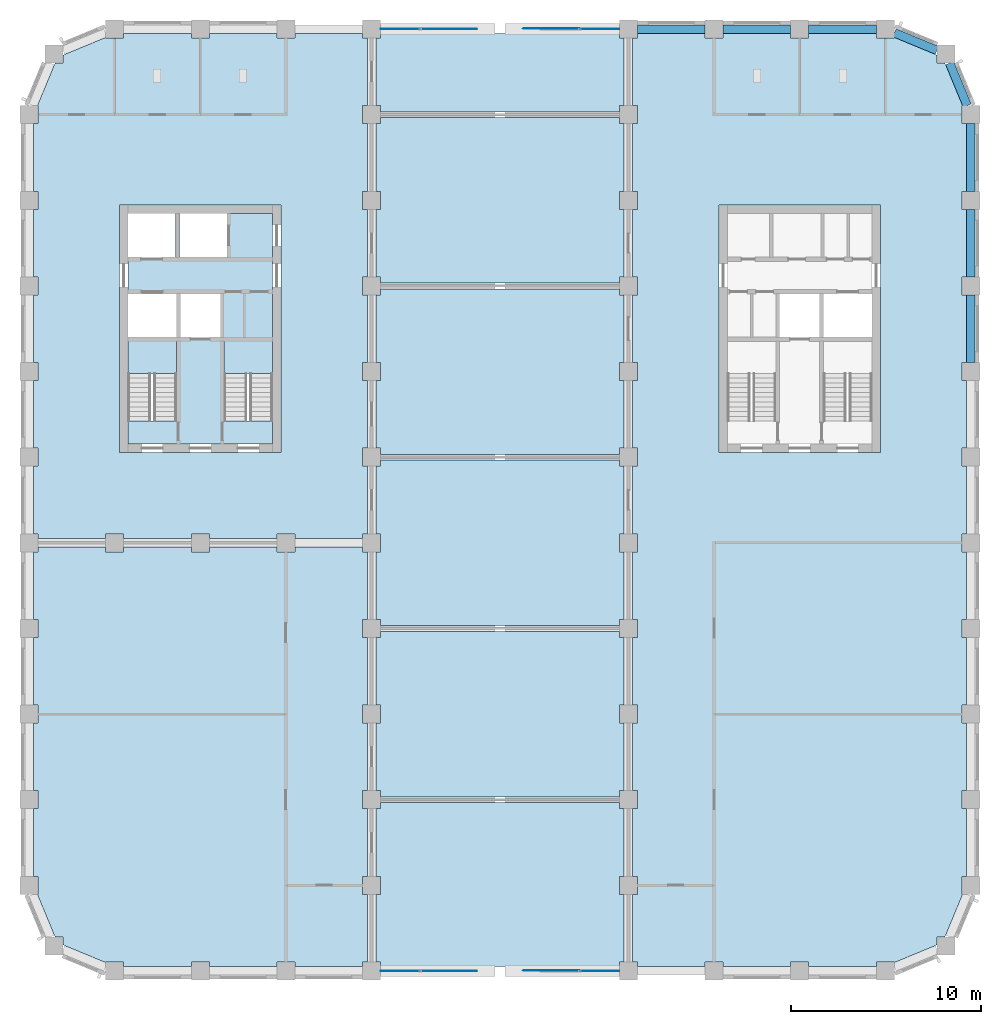
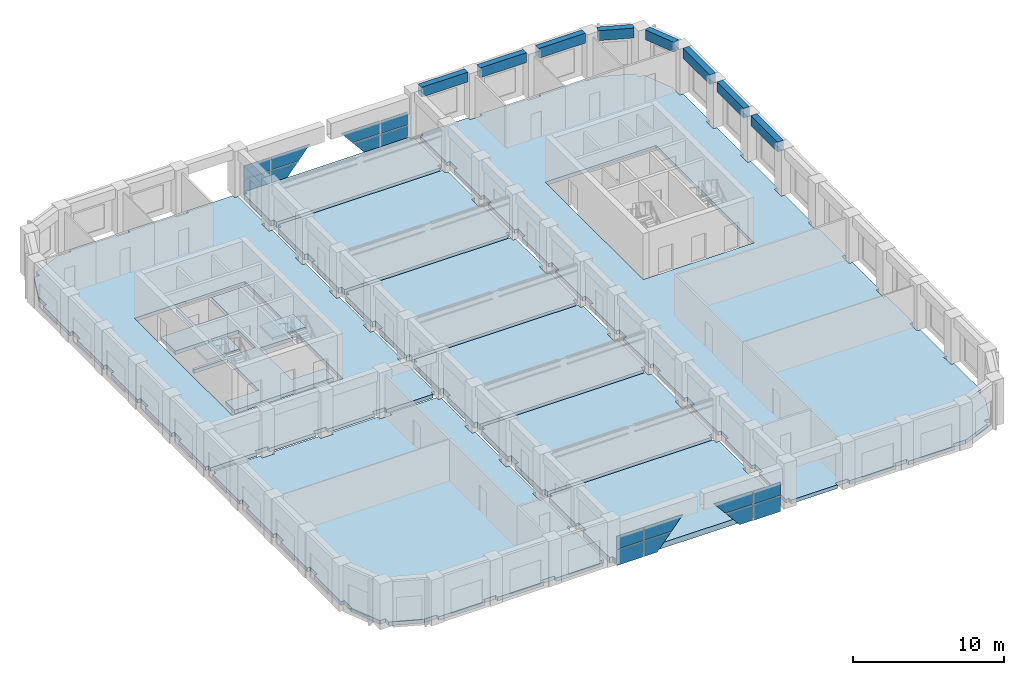
# One storey, part 5 of 14: 16 plates, 12 slabs, 8 beams, 6 elements without a shape of their own.
"""IFC4 building model written with IfcOpenShell, lengths in metres."""

from ifc_helpers import new_model, si_unit, direction, frame, origin, origin_2d, place, context, subcontext, project, spatial, polyline, rectangle, outline, extrude, material, layer, layer_set, material_profile, profile_set, type_object, element, aggregate, save


model = new_model("IFC4")

# Units and contexts
model_context = context("Model", 3, precision=1e-05, world=origin(), true_north=direction((0.0, 1.0)))
body_context = subcontext(model_context, "Body", "Model", "MODEL_VIEW")
ifc_project = project(units=[si_unit("LENGTHUNIT", "METRE"), si_unit("AREAUNIT", "SQUARE_METRE"), si_unit("VOLUMEUNIT", "CUBIC_METRE"), si_unit("PLANEANGLEUNIT", "RADIAN"), si_unit("MASSUNIT", "GRAM", prefix="KILO")], contexts=[model_context])

# Site, building, storey
site_placement = place(None, origin())
site = spatial("IfcSite", under=ifc_project, at=site_placement, CompositionType="ELEMENT")
building_placement = place(site_placement, origin())
building = spatial("IfcBuilding", under=site, at=building_placement, Name="Girih Gate Residences", CompositionType="ELEMENT")
storey_placement = place(building_placement, frame((0.0, 0.0, 172.60009765625)))
storey = spatial("IfcBuildingStorey", under=building, at=storey_placement, Name="L47", CompositionType="ELEMENT", Elevation=172.60009765625)

# Beams
ifc_material_1 = material(Name="Concrete C60/75", Category="concrete")
ifc_material_profile = material_profile(ifc_material_1, rectangle(XDim=0.449951171875, YDim=0.800048828125, at=origin_2d()))
ifc_profile_set = profile_set([ifc_material_profile], Name="Concrete C60/75")
beam_type = type_object("IfcBeamType", Name="Spandrel girder RC 450x800 Concrete C60/75", PredefinedType="BEAM", material=ifc_profile_set)
for number, where, z_axis, x_axis, name in (
    (1, (49.5, 31.97509765625, 3.2998046875), (0.0, 1.0, 0.0), (-1.0, 0.0, 0.0), "Spandrel girder SP-P12H-P12I L47"),
    (2, (49.5, 36.47509765625, 3.2998046875), (0.0, 1.0, 0.0), (-1.0, 0.0, 0.0), "Spandrel girder SP-P12I-P12J L47"),
    (3, (49.5, 40.97509765625, 3.2998046875), (0.0, 1.0, 0.0), (-1.0, 0.0, 0.0), "Spandrel girder SP-P12J-P12K L47"),
):
    element("IfcBeam", number, at=place(storey_placement, frame(where, z_axis=z_axis, x_axis=x_axis)), inside=storey, type_object=beam_type, Name=name, PredefinedType="BEAM", context=body_context, shape_type="SweptSolid", body=[
        extrude(rectangle(XDim=0.449951171875, YDim=0.800048828125, at=origin_2d()), origin(), (0.0, 0.0, 1.0), 3.5498046875),
    ])
for number, where, z_axis, x_axis, name in (
    (4, (49.30322265625, 45.47509765625, 3.2998046875), (-0.382705825988, 0.923870256451, 0.0), (-0.923870256451, -0.382705825988, 0.0), "Spandrel girder SP-P12K-P12LSW L47"),
    (5, (47.70703125, 48.378662109375, 3.2998046875), (-0.923870256451, 0.382705825988, 0.0), (-0.382705825988, -0.923870256451, 0.0), "Spandrel girder SP-P12LSW-P11L L47"),
):
    element("IfcBeam", number, at=place(storey_placement, frame(where, z_axis=z_axis, x_axis=x_axis)), inside=storey, type_object=beam_type, Name=name, PredefinedType="BEAM", context=body_context, shape_type="SweptSolid", body=[
        extrude(rectangle(XDim=0.449951171875, YDim=0.800048828125, at=origin_2d()), origin(), (0.0, 0.0, 1.0), 2.415771484375),
    ])
for number, where, z_axis, x_axis, name in (
    (6, (44.52490234375, 49.5, 3.2998046875), (-1.0, 0.0, 0.0), (0.0, -1.0, 0.0), "Spandrel girder SP-P11L-P10L L47"),
    (7, (40.02490234375, 49.5, 3.2998046875), (-1.0, 0.0, 0.0), (0.0, -1.0, 0.0), "Spandrel girder SP-P10L-P9L L47"),
    (8, (35.52490234375, 49.5, 3.2998046875), (-1.0, 0.0, 0.0), (0.0, -1.0, 0.0), "Spandrel girder SP-P9L-P8L L47"),
):
    element("IfcBeam", number, at=place(storey_placement, frame(where, z_axis=z_axis, x_axis=x_axis)), inside=storey, type_object=beam_type, Name=name, PredefinedType="BEAM", context=body_context, shape_type="SweptSolid", body=[
        extrude(rectangle(XDim=0.449951171875, YDim=0.800048828125, at=origin_2d()), origin(), (0.0, 0.0, 1.0), 3.5498046875),
    ])

# Slab
ifc_material_2 = material(Name="Concrete C40/50", Category="concrete")
ifc_layer_1 = layer(ifc_material_2, 0.300048828125)
ifc_layer_set_1 = layer_set([ifc_layer_1], Name="Core floor slab 300")
slab_type_1 = type_object("IfcSlabType", Name="Core floor slab 300", PredefinedType="FLOOR", material=ifc_layer_set_1)
slab_1_placement = place(storey_placement, frame((0.0, 0.0, -0.300048828125)))
element("IfcSlab", 9, at=slab_1_placement, inside=storey, type_object=slab_type_1, Name="L47 W core floor", PredefinedType="FLOOR", context=body_context, shape_type="SweptSolid", body=[
    extrude(outline(polyline([(12.800048828125, 27.699951171875), (5.199951171875, 27.699951171875), (5.199951171875, 28.900634765625), (7.75, 28.900634765625), (7.75, 33.10009765625), (5.199951171875, 33.10009765625), (5.199951171875, 33.300048828125), (7.75, 33.300048828125), (7.75, 35.60009765625), (5.199951171875, 35.60009765625), (5.199951171875, 37.5), (7.699951171875, 37.5), (7.699951171875, 39.800048828125), (7.89990234375, 39.800048828125), (7.89990234375, 37.5), (10.39990234375, 37.5), (10.39990234375, 39.800048828125), (12.800048828125, 39.800048828125), (12.800048828125, 33.10009765625), (10.25, 33.10009765625), (10.25, 28.900634765625), (12.800048828125, 28.900634765625), (12.800048828125, 27.699951171875)]), holes=[polyline([(7.949951171875, 33.300048828125), (10.050048828125, 33.300048828125), (10.050048828125, 35.60009765625), (7.949951171875, 35.60009765625), (7.949951171875, 33.300048828125)])]), origin(), (0.0, 0.0, 1.0), 0.300048828125),
])

# Curtain wall, plates
ifc_material_3 = material(Name="Aluminium curtain wall frame", Category="aluminium")
curtain_wall_type = type_object("IfcCurtainWallType", Name="Curtain wall CW-4 bridge glazing", PredefinedType="NOTDEFINED", material=ifc_material_3)
curtain_wall_1_placement = place(storey_placement, origin())
curtain_wall_1 = element("IfcCurtainWall", 10, at=curtain_wall_1_placement, inside=storey, type_object=curtain_wall_type, Name="CW-4 Bridge glazing S2", PredefinedType="NOTDEFINED")
ifc_material_4 = material(Name="Double glazed unit")
ifc_layer_2 = layer(ifc_material_4, 0.028076171875)
ifc_layer_set_2 = layer_set([ifc_layer_2], Name="Curtain wall glass panel 28")
plate_type = type_object("IfcPlateType", Name="Curtain wall glass panel 28", PredefinedType="CURTAIN_PANEL", material=ifc_layer_set_2)
plate_1_placement = place(storey_placement, frame((20.53173828125, 0.013916015625, 1.934814453125), z_axis=(0.0, 1.0, 0.0), x_axis=(0.0, 0.0, -1.0)))
plate_1 = element("IfcPlate", 11, at=plate_1_placement, type_object=plate_type, Name="CW-4 panel S2.1", PredefinedType="CURTAIN_PANEL", context=body_context, shape_type="SweptSolid", body=[
    extrude(outline(polyline([(0.0, 0.0), (1.0595703125, 0.0), (1.0595703125, 2.056640625), (0.0, 2.056640625), (0.0, 0.0)])), origin(), (0.0, 0.0, -1.0), 0.028076171875),
])
plate_2_placement = place(storey_placement, frame((23.556640625, 0.013916015625, 1.934814453125), z_axis=(0.0, 1.0, 0.0), x_axis=(-0.640286082364, 0.0, -0.76813653261)))
plate_2 = element("IfcPlate", 12, at=plate_2_placement, type_object=plate_type, Name="CW-4 panel S2.2", PredefinedType="CURTAIN_PANEL", context=body_context, shape_type="SweptSolid", body=[
    extrude(outline(polyline([(0.0, 0.0), (1.4169081407330233, 0.0), (1.3947792074205192, 0.018445741630611412), (2.7122428554102975, 1.5989766734762605), (1.898348189509714, 2.277404797856379), (0.0, 0.0)])), origin(), (0.0, 0.0, -1.0), 0.028076171875),
])
plate_3_placement = place(storey_placement, frame((21.58154296875, 0.013916015625, -0.43505859375), z_axis=(0.0, 1.0, 0.0), x_axis=(-1.0, 0.0, 0.0)))
plate_3 = element("IfcPlate", 13, at=plate_3_placement, type_object=plate_type, Name="CW-4 panel S2.3", PredefinedType="CURTAIN_PANEL", context=body_context, shape_type="SweptSolid", body=[
    extrude(outline(polyline([(0.0, 0.0), (0.98974609375, 0.0), (0.98974609375, 1.250244140625), (-1.0419921875, 1.250244140625), (0.0, 0.0)])), origin(), (0.0, 0.0, -1.0), 0.028076171875),
])
plate_4_placement = place(storey_placement, frame((18.47509765625, 0.013916015625, -0.43505859375), z_axis=(0.0, 1.0, 0.0), x_axis=(0.0, 0.0, 1.0)))
plate_4 = element("IfcPlate", 14, at=plate_4_placement, type_object=plate_type, Name="CW-4 panel S2.4", PredefinedType="CURTAIN_PANEL", context=body_context, shape_type="SweptSolid", body=[
    extrude(outline(polyline([(0.0, 0.0), (1.250244140625, 0.0), (1.250244140625, 2.056640625), (0.0, 2.056640625), (0.0, 0.0)])), origin(), (0.0, 0.0, -1.0), 0.028076171875),
])
aggregate(curtain_wall_1, [plate_1, plate_2, plate_3, plate_4])

curtain_wall_2_placement = place(storey_placement, origin())
curtain_wall_2 = element("IfcCurtainWall", 15, at=curtain_wall_2_placement, inside=storey, type_object=curtain_wall_type, Name="CW-4 Bridge glazing S5", PredefinedType="NOTDEFINED")
plate_5_placement = place(storey_placement, frame((28.96826171875, 0.013916015625, -0.43505859375), z_axis=(0.0, 1.0, 0.0), x_axis=(0.0, 0.0, 1.0)))
plate_5 = element("IfcPlate", 16, at=plate_5_placement, type_object=plate_type, Name="CW-4 panel S5.1", PredefinedType="CURTAIN_PANEL", context=body_context, shape_type="SweptSolid", body=[
    extrude(outline(polyline([(0.0, 0.0), (1.250244140625, 0.0), (1.250244140625, 2.056640625), (0.0, 2.056640625), (0.0, 0.0)])), origin(), (0.0, 0.0, -1.0), 0.028076171875),
])
plate_6_placement = place(storey_placement, frame((27.91845703125, 0.0439453125, -0.43505859375), z_axis=(0.0, 1.0, 0.0), x_axis=(-0.640228662879, 0.0, 0.768184391425)))
plate_6 = element("IfcPlate", 17, at=plate_6_placement, type_object=plate_type, Name="CW-4 panel S5.2", PredefinedType="CURTAIN_PANEL", context=body_context, shape_type="SweptSolid", body=[
    extrude(outline(polyline([(0.0, 0.0), (1.6275312992315019, 0.0), (0.3267542161076179, 1.560749635116544), (-0.6336638181908466, 0.760307500692438), (0.0, 0.0)])), origin(), (0.0, 0.0, -1.0), 0.028076171875),
])
plate_7_placement = place(storey_placement, frame((25.943359375, 0.0439453125, 1.934814453125), z_axis=(0.0, 1.0, 0.0), x_axis=(1.0, 0.0, 0.0)))
plate_7 = element("IfcPlate", 18, at=plate_7_placement, type_object=plate_type, Name="CW-4 panel S5.3", PredefinedType="CURTAIN_PANEL", context=body_context, shape_type="SweptSolid", body=[
    extrude(outline(polyline([(0.0, 0.0), (2.96484375, 0.0), (2.96484375, 1.0595703125), (0.9072265625, 1.0595703125), (0.9072265625, 1.08837890625), (0.0, 0.0)])), origin(), (0.0, 0.0, -1.0), 0.028076171875),
])
plate_8_placement = place(storey_placement, frame((31.02490234375, 0.013916015625, 1.934814453125), z_axis=(0.0, 1.0, 0.0), x_axis=(0.0, 0.0, -1.0)))
plate_8 = element("IfcPlate", 19, at=plate_8_placement, type_object=plate_type, Name="CW-4 panel S5.4", PredefinedType="CURTAIN_PANEL", context=body_context, shape_type="SweptSolid", body=[
    extrude(outline(polyline([(0.0, 0.0), (1.0595703125, 0.0), (1.0595703125, 2.056640625), (0.0, 2.056640625), (0.0, 0.0)])), origin(), (0.0, 0.0, -1.0), 0.028076171875),
])
aggregate(curtain_wall_2, [plate_5, plate_6, plate_7, plate_8])

curtain_wall_3_placement = place(storey_placement, origin())
curtain_wall_3 = element("IfcCurtainWall", 20, at=curtain_wall_3_placement, inside=storey, type_object=curtain_wall_type, Name="CW-4 Bridge glazing N2", PredefinedType="NOTDEFINED")
plate_9_placement = place(storey_placement, frame((20.53173828125, 49.513916015625, 1.934814453125), z_axis=(0.0, 1.0, 0.0), x_axis=(0.0, 0.0, -1.0)))
plate_9 = element("IfcPlate", 21, at=plate_9_placement, type_object=plate_type, Name="CW-4 panel N2.1", PredefinedType="CURTAIN_PANEL", context=body_context, shape_type="SweptSolid", body=[
    extrude(outline(polyline([(0.0, 0.0), (1.0595703125, 0.0), (1.0595703125, 2.056640625), (0.0, 2.056640625), (0.0, 0.0)])), origin(), (0.0, 0.0, -1.0), 0.028076171875),
])
plate_10_placement = place(storey_placement, frame((23.556640625, 49.513916015625, 1.934814453125), z_axis=(0.0, 1.0, 0.0), x_axis=(-0.640286082364, 0.0, -0.76813653261)))
plate_10 = element("IfcPlate", 22, at=plate_10_placement, type_object=plate_type, Name="CW-4 panel N2.2", PredefinedType="CURTAIN_PANEL", context=body_context, shape_type="SweptSolid", body=[
    extrude(outline(polyline([(0.0, 0.0), (1.4169081407330233, 0.0), (1.3947792074205192, 0.018445741630611412), (2.7122428554102975, 1.5989766734762605), (1.898348189509714, 2.277404797856379), (0.0, 0.0)])), origin(), (0.0, 0.0, -1.0), 0.028076171875),
])
plate_11_placement = place(storey_placement, frame((21.58154296875, 49.513916015625, -0.43505859375), z_axis=(0.0, 1.0, 0.0), x_axis=(-1.0, 0.0, 0.0)))
plate_11 = element("IfcPlate", 23, at=plate_11_placement, type_object=plate_type, Name="CW-4 panel N2.3", PredefinedType="CURTAIN_PANEL", context=body_context, shape_type="SweptSolid", body=[
    extrude(outline(polyline([(0.0, 0.0), (0.98974609375, 0.0), (0.98974609375, 1.250244140625), (-1.0419921875, 1.250244140625), (0.0, 0.0)])), origin(), (0.0, 0.0, -1.0), 0.028076171875),
])
plate_12_placement = place(storey_placement, frame((18.47509765625, 49.513916015625, -0.43505859375), z_axis=(0.0, 1.0, 0.0), x_axis=(0.0, 0.0, 1.0)))
plate_12 = element("IfcPlate", 24, at=plate_12_placement, type_object=plate_type, Name="CW-4 panel N2.4", PredefinedType="CURTAIN_PANEL", context=body_context, shape_type="SweptSolid", body=[
    extrude(outline(polyline([(0.0, 0.0), (1.250244140625, 0.0), (1.250244140625, 2.056640625), (0.0, 2.056640625), (0.0, 0.0)])), origin(), (0.0, 0.0, -1.0), 0.028076171875),
])
aggregate(curtain_wall_3, [plate_9, plate_10, plate_11, plate_12])

curtain_wall_4_placement = place(storey_placement, origin())
curtain_wall_4 = element("IfcCurtainWall", 25, at=curtain_wall_4_placement, inside=storey, type_object=curtain_wall_type, Name="CW-4 Bridge glazing N5", PredefinedType="NOTDEFINED")
plate_13_placement = place(storey_placement, frame((28.96826171875, 49.513916015625, -0.43505859375), z_axis=(0.0, 1.0, 0.0), x_axis=(0.0, 0.0, 1.0)))
plate_13 = element("IfcPlate", 26, at=plate_13_placement, type_object=plate_type, Name="CW-4 panel N5.1", PredefinedType="CURTAIN_PANEL", context=body_context, shape_type="SweptSolid", body=[
    extrude(outline(polyline([(0.0, 0.0), (1.250244140625, 0.0), (1.250244140625, 2.056640625), (0.0, 2.056640625), (0.0, 0.0)])), origin(), (0.0, 0.0, -1.0), 0.028076171875),
])
plate_14_placement = place(storey_placement, frame((27.91845703125, 49.5439453125, -0.43505859375), z_axis=(0.0, 1.0, 0.0), x_axis=(-0.640228662879, 0.0, 0.768184391425)))
plate_14 = element("IfcPlate", 27, at=plate_14_placement, type_object=plate_type, Name="CW-4 panel N5.2", PredefinedType="CURTAIN_PANEL", context=body_context, shape_type="SweptSolid", body=[
    extrude(outline(polyline([(0.0, 0.0), (1.6275312992315019, 0.0), (0.3267542161076179, 1.560749635116544), (-0.6336638181908466, 0.760307500692438), (0.0, 0.0)])), origin(), (0.0, 0.0, -1.0), 0.028076171875),
])
plate_15_placement = place(storey_placement, frame((25.943359375, 49.5439453125, 1.934814453125), z_axis=(0.0, 1.0, 0.0), x_axis=(1.0, 0.0, 0.0)))
plate_15 = element("IfcPlate", 28, at=plate_15_placement, type_object=plate_type, Name="CW-4 panel N5.3", PredefinedType="CURTAIN_PANEL", context=body_context, shape_type="SweptSolid", body=[
    extrude(outline(polyline([(0.0, 0.0), (2.96484375, 0.0), (2.96484375, 1.0595703125), (0.9072265625, 1.0595703125), (0.9072265625, 1.08837890625), (0.0, 0.0)])), origin(), (0.0, 0.0, -1.0), 0.028076171875),
])
plate_16_placement = place(storey_placement, frame((31.02490234375, 49.513916015625, 1.934814453125), z_axis=(0.0, 1.0, 0.0), x_axis=(0.0, 0.0, -1.0)))
plate_16 = element("IfcPlate", 29, at=plate_16_placement, type_object=plate_type, Name="CW-4 panel N5.4", PredefinedType="CURTAIN_PANEL", context=body_context, shape_type="SweptSolid", body=[
    extrude(outline(polyline([(0.0, 0.0), (1.0595703125, 0.0), (1.0595703125, 2.056640625), (0.0, 2.056640625), (0.0, 0.0)])), origin(), (0.0, 0.0, -1.0), 0.028076171875),
])
aggregate(curtain_wall_4, [plate_13, plate_14, plate_15, plate_16])

# Slabs
ifc_layer_3 = layer(ifc_material_2, 0.300048828125)
ifc_layer_set_3 = layer_set([ifc_layer_3], Name="Floor slab PT 300 Concrete C40/50")
slab_type_2 = type_object("IfcSlabType", Name="Floor slab PT 300 Concrete C40/50", PredefinedType="FLOOR", material=ifc_layer_set_3)
slab_2_placement = place(storey_placement, frame((0.0, 0.0, -0.300048828125)))
element("IfcSlab", 30, at=slab_2_placement, inside=storey, type_object=slab_type_2, Name="Floor slab L47 1", PredefinedType="FLOOR", context=body_context, shape_type="SweptSolid", body=[
    extrude(outline(polyline([(0.22509765625, 8.52490234375), (0.22509765625, 4.97509765625), (0.47509765625, 4.97509765625), (0.47509765625, 4.02490234375), (0.440185546875, 4.02490234375), (1.36474609375, 1.79296875), (1.79296875, 1.79296875), (1.79296875, 1.36474609375), (4.02490234375, 0.440185546875), (4.02490234375, 0.47509765625), (4.97509765625, 0.47509765625), (4.97509765625, 0.22509765625), (8.52490234375, 0.22509765625), (8.52490234375, 0.47509765625), (9.47509765625, 0.47509765625), (9.47509765625, 0.22509765625), (13.02490234375, 0.22509765625), (13.02490234375, 0.47509765625), (13.97509765625, 0.47509765625), (13.97509765625, 0.22509765625), (17.52490234375, 0.22509765625), (17.52490234375, 0.47509765625), (17.77490234375, 0.47509765625), (17.77490234375, 4.02490234375), (17.52490234375, 4.02490234375), (17.52490234375, 4.97509765625), (17.77490234375, 4.97509765625), (17.77490234375, 8.52490234375), (17.52490234375, 8.52490234375), (17.52490234375, 9.47509765625), (17.77490234375, 9.47509765625), (17.77490234375, 13.02490234375), (17.52490234375, 13.02490234375), (17.52490234375, 13.97509765625), (17.77490234375, 13.97509765625), (17.77490234375, 17.52490234375), (17.52490234375, 17.52490234375), (17.52490234375, 18.47509765625), (17.77490234375, 18.47509765625), (17.77490234375, 22.02490234375), (17.52490234375, 22.02490234375), (17.52490234375, 22.27490234375), (13.97509765625, 22.27490234375), (13.97509765625, 22.02490234375), (13.02490234375, 22.02490234375), (13.02490234375, 22.27490234375), (9.47509765625, 22.27490234375), (9.47509765625, 22.02490234375), (8.52490234375, 22.02490234375), (8.52490234375, 22.27490234375), (4.97509765625, 22.27490234375), (4.97509765625, 22.02490234375), (4.02490234375, 22.02490234375), (4.02490234375, 22.27490234375), (0.47509765625, 22.27490234375), (0.47509765625, 22.02490234375), (0.22509765625, 22.02490234375), (0.22509765625, 18.47509765625), (0.47509765625, 18.47509765625), (0.47509765625, 17.52490234375), (0.22509765625, 17.52490234375), (0.22509765625, 13.97509765625), (0.47509765625, 13.97509765625), (0.47509765625, 13.02490234375), (0.22509765625, 13.02490234375), (0.22509765625, 9.47509765625), (0.47509765625, 9.47509765625), (0.47509765625, 8.52490234375), (0.22509765625, 8.52490234375)])), origin(), (0.0, 0.0, 1.0), 0.300048828125),
])
slab_3_placement = place(storey_placement, frame((0.0, 0.0, -0.300048828125)))
element("IfcSlab", 31, at=slab_3_placement, inside=storey, type_object=slab_type_2, Name="Floor slab L47 4", PredefinedType="FLOOR", context=body_context, shape_type="SweptSolid", body=[
    extrude(outline(polyline([(35.52490234375, 49.27490234375), (31.97509765625, 49.27490234375), (31.97509765625, 49.02490234375), (31.72509765625, 49.02490234375), (31.72509765625, 45.47509765625), (31.97509765625, 45.47509765625), (31.97509765625, 44.52490234375), (31.72509765625, 44.52490234375), (31.72509765625, 40.97509765625), (31.97509765625, 40.97509765625), (31.97509765625, 40.02490234375), (31.72509765625, 40.02490234375), (31.72509765625, 36.47509765625), (31.97509765625, 36.47509765625), (31.97509765625, 35.52490234375), (31.72509765625, 35.52490234375), (31.72509765625, 31.97509765625), (31.97509765625, 31.97509765625), (31.97509765625, 31.02490234375), (31.72509765625, 31.02490234375), (31.72509765625, 27.47509765625), (31.97509765625, 27.47509765625), (31.97509765625, 26.52490234375), (31.72509765625, 26.52490234375), (31.72509765625, 22.97509765625), (31.97509765625, 22.97509765625), (31.97509765625, 22.02490234375), (31.72509765625, 22.02490234375), (31.72509765625, 18.47509765625), (31.97509765625, 18.47509765625), (31.97509765625, 17.52490234375), (31.72509765625, 17.52490234375), (31.72509765625, 13.97509765625), (31.97509765625, 13.97509765625), (31.97509765625, 13.02490234375), (31.72509765625, 13.02490234375), (31.72509765625, 9.47509765625), (31.97509765625, 9.47509765625), (31.97509765625, 8.52490234375), (31.72509765625, 8.52490234375), (31.72509765625, 4.97509765625), (31.97509765625, 4.97509765625), (31.97509765625, 4.02490234375), (31.72509765625, 4.02490234375), (31.72509765625, 0.47509765625), (31.97509765625, 0.47509765625), (31.97509765625, 0.22509765625), (35.52490234375, 0.22509765625), (35.52490234375, 0.47509765625), (36.47509765625, 0.47509765625), (36.47509765625, 0.22509765625), (40.02490234375, 0.22509765625), (40.02490234375, 0.47509765625), (40.97509765625, 0.47509765625), (40.97509765625, 0.22509765625), (44.52490234375, 0.22509765625), (44.52490234375, 0.47509765625), (45.47509765625, 0.47509765625), (45.47509765625, 0.440185546875), (47.70703125, 1.36474609375), (47.70703125, 1.79296875), (48.13525390625, 1.79296875), (49.059814453125, 4.02490234375), (49.02490234375, 4.02490234375), (49.02490234375, 4.97509765625), (49.27490234375, 4.97509765625), (49.27490234375, 8.52490234375), (49.02490234375, 8.52490234375), (49.02490234375, 9.47509765625), (49.27490234375, 9.47509765625), (49.27490234375, 13.02490234375), (49.02490234375, 13.02490234375), (49.02490234375, 13.97509765625), (49.27490234375, 13.97509765625), (49.27490234375, 17.52490234375), (49.02490234375, 17.52490234375), (49.02490234375, 18.47509765625), (49.27490234375, 18.47509765625), (49.27490234375, 22.02490234375), (49.02490234375, 22.02490234375), (49.02490234375, 22.97509765625), (49.27490234375, 22.97509765625), (49.27490234375, 26.52490234375), (49.02490234375, 26.52490234375), (49.02490234375, 27.47509765625), (49.27490234375, 27.47509765625), (49.27490234375, 31.02490234375), (49.02490234375, 31.02490234375), (49.02490234375, 31.97509765625), (49.27490234375, 31.97509765625), (49.27490234375, 35.52490234375), (49.02490234375, 35.52490234375), (49.02490234375, 36.47509765625), (49.27490234375, 36.47509765625), (49.27490234375, 40.02490234375), (49.02490234375, 40.02490234375), (49.02490234375, 40.97509765625), (49.27490234375, 40.97509765625), (49.27490234375, 44.52490234375), (49.02490234375, 44.52490234375), (49.02490234375, 45.47509765625), (49.059814453125, 45.47509765625), (48.13525390625, 47.70703125), (47.70703125, 47.70703125), (47.70703125, 48.13525390625), (45.47509765625, 49.059814453125), (45.47509765625, 49.02490234375), (44.52490234375, 49.02490234375), (44.52490234375, 49.27490234375), (40.97509765625, 49.27490234375), (40.97509765625, 49.02490234375), (40.02490234375, 49.02490234375), (40.02490234375, 49.27490234375), (36.47509765625, 49.27490234375), (36.47509765625, 49.02490234375), (35.52490234375, 49.02490234375), (35.52490234375, 49.27490234375)]), holes=[polyline([(44.75, 40.25), (44.75, 27.25), (36.25, 27.25), (36.25, 40.25), (44.75, 40.25)])]), origin(), (0.0, 0.0, 1.0), 0.300048828125),
])
slab_4_placement = place(storey_placement, frame((0.0, 0.0, -0.300048828125)))
element("IfcSlab", 32, at=slab_4_placement, inside=storey, type_object=slab_type_2, Name="Floor slab L47 6", PredefinedType="FLOOR", context=body_context, shape_type="SweptSolid", body=[
    extrude(outline(polyline([(0.22509765625, 26.52490234375), (0.22509765625, 22.97509765625), (0.47509765625, 22.97509765625), (0.47509765625, 22.72509765625), (4.02490234375, 22.72509765625), (4.02490234375, 22.97509765625), (4.97509765625, 22.97509765625), (4.97509765625, 22.72509765625), (8.52490234375, 22.72509765625), (8.52490234375, 22.97509765625), (9.47509765625, 22.97509765625), (9.47509765625, 22.72509765625), (13.02490234375, 22.72509765625), (13.02490234375, 22.97509765625), (13.97509765625, 22.97509765625), (13.97509765625, 22.72509765625), (17.52490234375, 22.72509765625), (17.52490234375, 22.97509765625), (17.77490234375, 22.97509765625), (17.77490234375, 26.52490234375), (17.52490234375, 26.52490234375), (17.52490234375, 27.47509765625), (17.77490234375, 27.47509765625), (17.77490234375, 31.02490234375), (17.52490234375, 31.02490234375), (17.52490234375, 31.97509765625), (17.77490234375, 31.97509765625), (17.77490234375, 35.52490234375), (17.52490234375, 35.52490234375), (17.52490234375, 36.47509765625), (17.77490234375, 36.47509765625), (17.77490234375, 40.02490234375), (17.52490234375, 40.02490234375), (17.52490234375, 40.97509765625), (17.77490234375, 40.97509765625), (17.77490234375, 44.52490234375), (17.52490234375, 44.52490234375), (17.52490234375, 45.47509765625), (17.77490234375, 45.47509765625), (17.77490234375, 49.02490234375), (17.52490234375, 49.02490234375), (17.52490234375, 49.27490234375), (13.97509765625, 49.27490234375), (13.97509765625, 49.02490234375), (13.02490234375, 49.02490234375), (13.02490234375, 49.27490234375), (9.47509765625, 49.27490234375), (9.47509765625, 49.02490234375), (8.52490234375, 49.02490234375), (8.52490234375, 49.27490234375), (4.97509765625, 49.27490234375), (4.97509765625, 49.02490234375), (4.02490234375, 49.02490234375), (4.02490234375, 49.059814453125), (1.79296875, 48.13525390625), (1.79296875, 47.70703125), (1.36474609375, 47.70703125), (0.440185546875, 45.47509765625), (0.47509765625, 45.47509765625), (0.47509765625, 44.52490234375), (0.22509765625, 44.52490234375), (0.22509765625, 40.97509765625), (0.47509765625, 40.97509765625), (0.47509765625, 40.02490234375), (0.22509765625, 40.02490234375), (0.22509765625, 36.47509765625), (0.47509765625, 36.47509765625), (0.47509765625, 35.52490234375), (0.22509765625, 35.52490234375), (0.22509765625, 31.97509765625), (0.47509765625, 31.97509765625), (0.47509765625, 31.02490234375), (0.22509765625, 31.02490234375), (0.22509765625, 27.47509765625), (0.47509765625, 27.47509765625), (0.47509765625, 26.52490234375), (0.22509765625, 26.52490234375)]), holes=[polyline([(13.25, 40.25), (13.25, 27.25), (4.75, 27.25), (4.75, 40.25), (13.25, 40.25)])]), origin(), (0.0, 0.0, 1.0), 0.300048828125),
])
ifc_layer_4 = layer(ifc_material_2, 0.449951171875)
ifc_layer_set_4 = layer_set([ifc_layer_4], Name="Floor slab PT 450 Concrete C40/50")
slab_type_3 = type_object("IfcSlabType", Name="Floor slab PT 450 Concrete C40/50", PredefinedType="FLOOR", material=ifc_layer_set_4)
slab_5_placement = place(storey_placement, frame((0.0, 0.0, -0.4501953125)))
element("IfcSlab", 33, at=slab_5_placement, inside=storey, type_object=slab_type_3, Name="Floor slab L47 0", PredefinedType="FLOOR", context=body_context, shape_type="SweptSolid", body=[
    extrude(outline(polyline([(18.47509765625, 0.22509765625), (31.02490234375, 0.22509765625), (31.02490234375, 0.47509765625), (31.27490234375, 0.47509765625), (31.27490234375, 4.02490234375), (31.02490234375, 4.02490234375), (31.02490234375, 4.97509765625), (31.27490234375, 4.97509765625), (31.27490234375, 8.52490234375), (31.02490234375, 8.52490234375), (31.02490234375, 8.85009765625), (18.47509765625, 8.85009765625), (18.47509765625, 8.52490234375), (18.22509765625, 8.52490234375), (18.22509765625, 4.97509765625), (18.47509765625, 4.97509765625), (18.47509765625, 4.02490234375), (18.22509765625, 4.02490234375), (18.22509765625, 0.47509765625), (18.47509765625, 0.47509765625), (18.47509765625, 0.22509765625)])), origin(), (0.0, 0.0, 1.0), 0.4501953125),
])
slab_6_placement = place(storey_placement, frame((0.0, 0.0, -0.4501953125)))
element("IfcSlab", 34, at=slab_6_placement, inside=storey, type_object=slab_type_3, Name="Floor slab L47 2", PredefinedType="FLOOR", context=body_context, shape_type="SweptSolid", body=[
    extrude(outline(polyline([(31.02490234375, 17.85009765625), (18.47509765625, 17.85009765625), (18.47509765625, 17.52490234375), (18.22509765625, 17.52490234375), (18.22509765625, 13.97509765625), (18.47509765625, 13.97509765625), (18.47509765625, 13.02490234375), (18.22509765625, 13.02490234375), (18.22509765625, 9.47509765625), (18.47509765625, 9.47509765625), (18.47509765625, 9.14990234375), (31.02490234375, 9.14990234375), (31.02490234375, 9.47509765625), (31.27490234375, 9.47509765625), (31.27490234375, 13.02490234375), (31.02490234375, 13.02490234375), (31.02490234375, 13.97509765625), (31.27490234375, 13.97509765625), (31.27490234375, 17.52490234375), (31.02490234375, 17.52490234375), (31.02490234375, 17.85009765625)])), origin(), (0.0, 0.0, 1.0), 0.4501953125),
])
slab_7_placement = place(storey_placement, frame((0.0, 0.0, -0.4501953125)))
element("IfcSlab", 35, at=slab_7_placement, inside=storey, type_object=slab_type_3, Name="Floor slab L47 3", PredefinedType="FLOOR", context=body_context, shape_type="SweptSolid", body=[
    extrude(outline(polyline([(18.47509765625, 26.85009765625), (18.47509765625, 26.52490234375), (18.22509765625, 26.52490234375), (18.22509765625, 22.97509765625), (18.47509765625, 22.97509765625), (18.47509765625, 22.02490234375), (18.22509765625, 22.02490234375), (18.22509765625, 18.47509765625), (18.47509765625, 18.47509765625), (18.47509765625, 18.14990234375), (31.02490234375, 18.14990234375), (31.02490234375, 18.47509765625), (31.27490234375, 18.47509765625), (31.27490234375, 22.02490234375), (31.02490234375, 22.02490234375), (31.02490234375, 22.97509765625), (31.27490234375, 22.97509765625), (31.27490234375, 26.52490234375), (31.02490234375, 26.52490234375), (31.02490234375, 26.85009765625), (18.47509765625, 26.85009765625)])), origin(), (0.0, 0.0, 1.0), 0.4501953125),
])
slab_8_placement = place(storey_placement, frame((0.0, 0.0, -0.4501953125)))
element("IfcSlab", 36, at=slab_8_placement, inside=storey, type_object=slab_type_3, Name="Floor slab L47 5", PredefinedType="FLOOR", context=body_context, shape_type="SweptSolid", body=[
    extrude(outline(polyline([(18.47509765625, 35.85009765625), (18.47509765625, 35.52490234375), (18.22509765625, 35.52490234375), (18.22509765625, 31.97509765625), (18.47509765625, 31.97509765625), (18.47509765625, 31.02490234375), (18.22509765625, 31.02490234375), (18.22509765625, 27.47509765625), (18.47509765625, 27.47509765625), (18.47509765625, 27.14990234375), (31.02490234375, 27.14990234375), (31.02490234375, 27.47509765625), (31.27490234375, 27.47509765625), (31.27490234375, 31.02490234375), (31.02490234375, 31.02490234375), (31.02490234375, 31.97509765625), (31.27490234375, 31.97509765625), (31.27490234375, 35.52490234375), (31.02490234375, 35.52490234375), (31.02490234375, 35.85009765625), (18.47509765625, 35.85009765625)])), origin(), (0.0, 0.0, 1.0), 0.4501953125),
])
slab_9_placement = place(storey_placement, frame((0.0, 0.0, -0.4501953125)))
element("IfcSlab", 37, at=slab_9_placement, inside=storey, type_object=slab_type_3, Name="Floor slab L47 7", PredefinedType="FLOOR", context=body_context, shape_type="SweptSolid", body=[
    extrude(outline(polyline([(18.47509765625, 44.85009765625), (18.47509765625, 44.52490234375), (18.22509765625, 44.52490234375), (18.22509765625, 40.97509765625), (18.47509765625, 40.97509765625), (18.47509765625, 40.02490234375), (18.22509765625, 40.02490234375), (18.22509765625, 36.47509765625), (18.47509765625, 36.47509765625), (18.47509765625, 36.14990234375), (31.02490234375, 36.14990234375), (31.02490234375, 36.47509765625), (31.27490234375, 36.47509765625), (31.27490234375, 40.02490234375), (31.02490234375, 40.02490234375), (31.02490234375, 40.97509765625), (31.27490234375, 40.97509765625), (31.27490234375, 44.52490234375), (31.02490234375, 44.52490234375), (31.02490234375, 44.85009765625), (18.47509765625, 44.85009765625)])), origin(), (0.0, 0.0, 1.0), 0.4501953125),
])
slab_10_placement = place(storey_placement, frame((0.0, 0.0, -0.4501953125)))
element("IfcSlab", 38, at=slab_10_placement, inside=storey, type_object=slab_type_3, Name="Floor slab L47 8", PredefinedType="FLOOR", context=body_context, shape_type="SweptSolid", body=[
    extrude(outline(polyline([(31.02490234375, 49.27490234375), (18.47509765625, 49.27490234375), (18.47509765625, 49.02490234375), (18.22509765625, 49.02490234375), (18.22509765625, 45.47509765625), (18.47509765625, 45.47509765625), (18.47509765625, 45.14990234375), (31.02490234375, 45.14990234375), (31.02490234375, 45.47509765625), (31.27490234375, 45.47509765625), (31.27490234375, 49.02490234375), (31.02490234375, 49.02490234375), (31.02490234375, 49.27490234375)])), origin(), (0.0, 0.0, 1.0), 0.4501953125),
])

# Stair, slab
stair_type = type_object("IfcStairType", Name="Exit stair", PredefinedType="HALF_TURN_STAIR", material=ifc_material_2)
stair_1_placement = place(storey_placement, origin())
stair_1 = element("IfcStair", 39, at=stair_1_placement, inside=storey, type_object=stair_type, Name="L47 Exit Stair ST-W1", PredefinedType="HALF_TURN_STAIR")
ifc_layer_5 = layer(ifc_material_2, 0.199951171875)
ifc_layer_set_5 = layer_set([ifc_layer_5], Name="Stair landing 200")
slab_type_4 = type_object("IfcSlabType", Name="Stair landing 200", PredefinedType="LANDING", material=ifc_layer_set_5)
slab_11_placement = place(storey_placement, frame((0.0, 0.0, 1.64990234375)))
slab_11 = element("IfcSlab", 40, at=slab_11_placement, type_object=slab_type_4, Name="ST-W1 landing 1", PredefinedType="LANDING", context=body_context, shape_type="SweptSolid", body=[
    extrude(outline(polyline([(7.75, 31.39990234375), (7.75, 33.10009765625), (5.199951171875, 33.10009765625), (5.199951171875, 31.39990234375), (7.75, 31.39990234375)])), origin(), (0.0, 0.0, 1.0), 0.199951171875),
])
aggregate(stair_1, [slab_11])

stair_2_placement = place(storey_placement, origin())
stair_2 = element("IfcStair", 41, at=stair_2_placement, inside=storey, type_object=stair_type, Name="L47 Exit Stair ST-W2", PredefinedType="HALF_TURN_STAIR")
slab_12_placement = place(storey_placement, frame((0.0, 0.0, 1.64990234375)))
slab_12 = element("IfcSlab", 42, at=slab_12_placement, type_object=slab_type_4, Name="ST-W2 landing 1", PredefinedType="LANDING", context=body_context, shape_type="SweptSolid", body=[
    extrude(outline(polyline([(12.800048828125, 31.39990234375), (12.800048828125, 33.10009765625), (10.25, 33.10009765625), (10.25, 31.39990234375), (12.800048828125, 31.39990234375)])), origin(), (0.0, 0.0, 1.0), 0.199951171875),
])
aggregate(stair_2, [slab_12])

save(model, "model.ifc")
